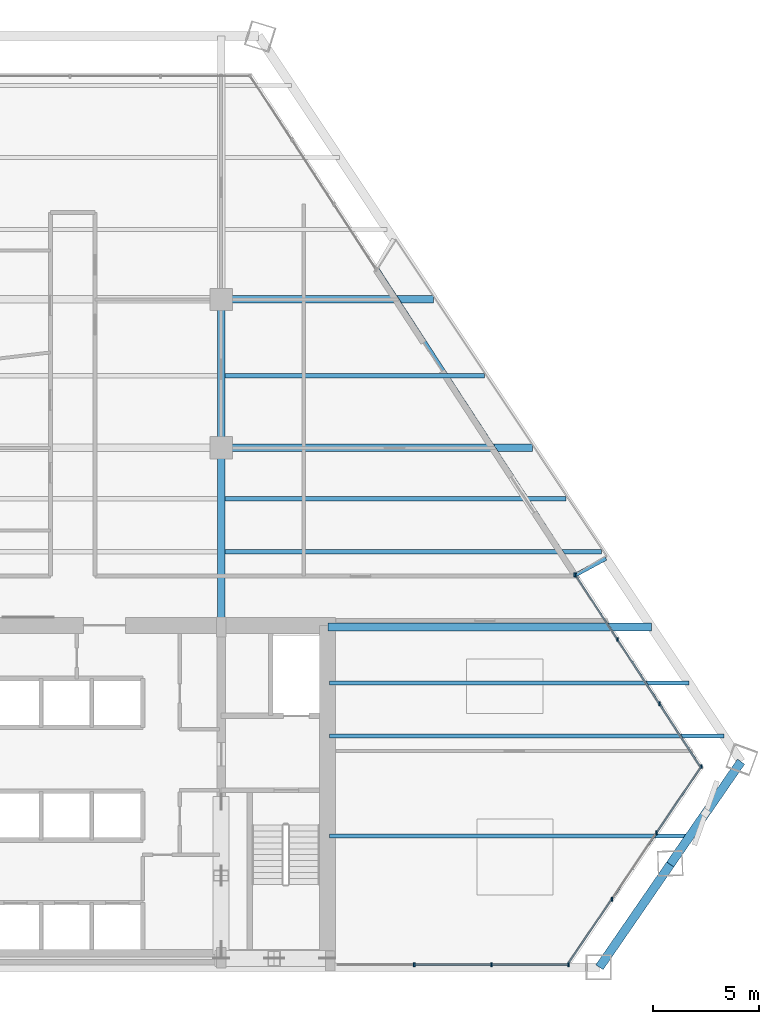
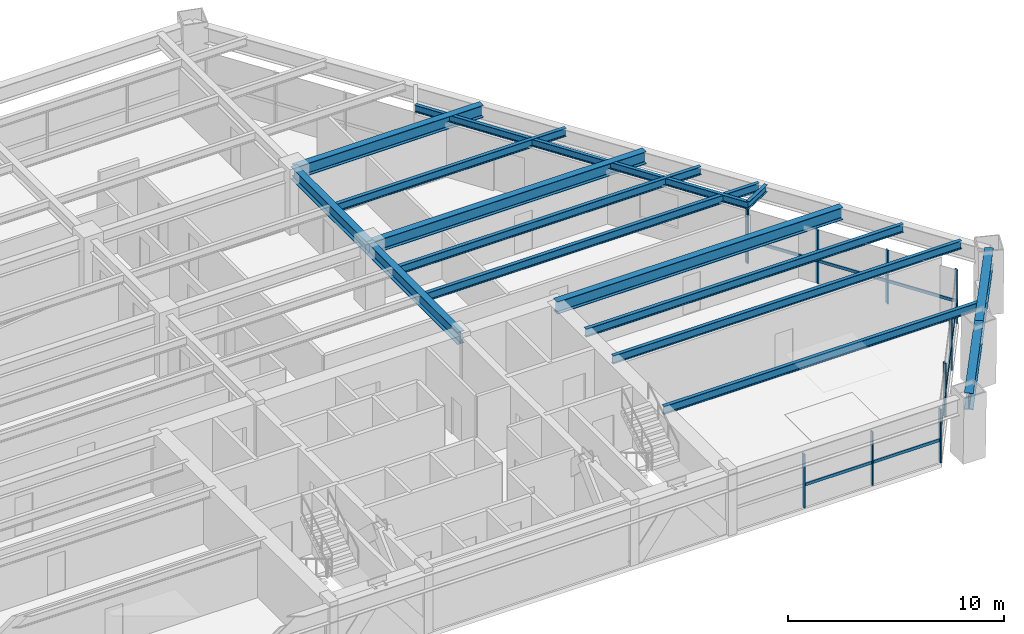
# One storey, part 6 of 14: 18 members, 15 beams, 3 elements without a shape of their own.
"""IFC4 building model written with IfcOpenShell, lengths in metres."""

from ifc_helpers import new_model, si_unit, direction, frame, origin, origin_2d, place, context, subcontext, project, spatial, rectangle, i_section, extrude, source, transform, mapped, material, material_profile, profile_set, type_object, type_shapes, element, aggregate, save


model = new_model("IFC4")

# Units and contexts
model_context = context("Model", 3, precision=1e-05, world=origin(), true_north=direction((0.0, 1.0)))
body_context = subcontext(model_context, "Body", "Model", "MODEL_VIEW")
ifc_project = project(units=[si_unit("LENGTHUNIT", "METRE"), si_unit("AREAUNIT", "SQUARE_METRE"), si_unit("VOLUMEUNIT", "CUBIC_METRE"), si_unit("PLANEANGLEUNIT", "RADIAN"), si_unit("MASSUNIT", "GRAM", prefix="KILO")], contexts=[model_context])

# Site, building, storey
site_placement = place(None, origin())
site = spatial("IfcSite", under=ifc_project, at=site_placement, CompositionType="ELEMENT")
building_placement = place(site_placement, origin())
building = spatial("IfcBuilding", under=site, at=building_placement, Name="Varnakhor Terracotta Tower", CompositionType="ELEMENT")
storey_placement = place(building_placement, frame((0.0, 0.0, 84.0)))
storey = spatial("IfcBuildingStorey", under=building, at=storey_placement, Name="L20", CompositionType="ELEMENT", Elevation=84.0)

# Beams
ifc_material_1 = material(Name="Steel S355", Category="steel")
ifc_material_profile_1 = material_profile(ifc_material_1, i_section(OverallWidth=0.35498046875, OverallDepth=0.695068359375, WebThickness=0.014892578125, FlangeThickness=0.02490234375, FilletRadius=0.01806640625, at=origin_2d()), Name="W27X146")
ifc_profile_set_1 = profile_set([ifc_material_profile_1], Name="Steel S355")
beam_type_1 = type_object("IfcBeamType", Name="BM-W27X146", PredefinedType="BEAM", material=ifc_profile_set_1)
shared_shape_1 = source(origin(), body_context, "Body", "SweptSolid", [
    extrude(i_section(OverallWidth=0.35498046875, OverallDepth=0.695068359375, WebThickness=0.014892578125, FlangeThickness=0.02490234375, FilletRadius=0.01806640625, at=origin_2d()), origin(), (0.0, 0.0, 1.0), 8.449951171875),
])
type_shapes(beam_type_1, [shared_shape_1])
beam_1_placement = place(storey_placement, frame((5.5, 16.050048828125, 3.1025390625), z_axis=(0.0, 1.0, 0.0), x_axis=(-1.0, 0.0, 0.0)))
element("IfcBeam", 1, at=beam_1_placement, inside=storey, type_object=beam_type_1, Name="L20 Primary Girder NS1-E", PredefinedType="BEAM", context=body_context, shape_type="MappedRepresentation", body=[
    mapped(shared_shape_1, transform((0.0, 0.0, 0.0), scale=1.0)),
])
shared_shape_2 = source(origin(), body_context, "Body", "SweptSolid", [
    extrude(i_section(OverallWidth=0.35498046875, OverallDepth=0.695068359375, WebThickness=0.014892578125, FlangeThickness=0.02490234375, FilletRadius=0.01806640625, at=origin_2d()), origin(), (0.0, 0.0, 1.0), 7.0),
])
beam_2_placement = place(storey_placement, frame((5.5, 24.5, 3.1025390625), z_axis=(0.0, 1.0, 0.0), x_axis=(-1.0, 0.0, 0.0)))
element("IfcBeam", 2, at=beam_2_placement, inside=storey, type_object=beam_type_1, Name="L20 Primary Girder NS2-E", PredefinedType="BEAM", context=body_context, shape_type="MappedRepresentation", body=[
    mapped(shared_shape_2, transform((0.0, 0.0, 0.0), scale=1.0)),
])
ifc_material_profile_2 = material_profile(ifc_material_1, i_section(OverallWidth=0.41796875, OverallDepth=0.927001953125, WebThickness=0.01904296875, FlangeThickness=0.031982421875, FilletRadius=0.01806640625, at=origin_2d()), Name="W36X231")
ifc_profile_set_2 = profile_set([ifc_material_profile_2], Name="Steel S355")
beam_type_2 = type_object("IfcBeamType", Name="BM-W36X231", PredefinedType="BEAM", material=ifc_profile_set_2)
shared_shape_3 = source(origin(), body_context, "Body", "SweptSolid", [
    extrude(i_section(OverallWidth=0.41796875, OverallDepth=0.927001953125, WebThickness=0.01904296875, FlangeThickness=0.031982421875, FilletRadius=0.01806640625, at=origin_2d()), origin(), (0.0, 0.0, 1.0), 5.88818359375),
])
for number, where, z_axis, x_axis, name in (
    (3, (23.34521484375, 0.0, 2.986572265625), (0.567181505376, 0.823592824131, 0.0), (-0.823592824131, 0.567181505376, 0.0), "L20 Perimeter Spandrel 2"),
    (4, (26.684814453125, 4.849365234375, 2.986572265625), (0.567209629403, 0.823573455323, 0.0), (-0.823573455323, 0.567209629403, 0.0), "L20 Perimeter Spandrel 3"),
):
    element("IfcBeam", number, at=place(storey_placement, frame(where, z_axis=z_axis, x_axis=x_axis)), inside=storey, type_object=beam_type_2, Name=name, PredefinedType="BEAM", context=body_context, shape_type="MappedRepresentation", body=[
        mapped(shared_shape_3, transform((0.0, 0.0, 0.0), scale=1.0)),
    ])
ifc_material_profile_3 = material_profile(ifc_material_1, i_section(OverallWidth=0.179931640625, OverallDepth=0.39990234375, WebThickness=0.008544921875, FlangeThickness=0.013427734375, FilletRadius=0.01806640625, at=origin_2d()), Name="IPE400")
ifc_profile_set_3 = profile_set([ifc_material_profile_3], Name="Steel S355")
beam_type_3 = type_object("IfcBeamType", Name="JST-IPE400", PredefinedType="JOIST", material=ifc_profile_set_3)
shared_shape_4 = source(origin(), body_context, "Body", "SweptSolid", [
    extrude(i_section(OverallWidth=0.179931640625, OverallDepth=0.39990234375, WebThickness=0.008544921875, FlangeThickness=0.013427734375, FilletRadius=0.01806640625, at=origin_2d()), origin(), (0.0, 0.0, 1.0), 17.24853515625),
])
beam_3_placement = place(storey_placement, frame((22.238037109375, 18.514404296875, 3.25), z_axis=(-0.545037105912, 0.838411923328, 0.0), x_axis=(-0.838411923328, -0.545037105912, 0.0)))
element("IfcBeam", 5, at=beam_3_placement, inside=storey, type_object=beam_type_3, Name="L20 Loggia Edge Beam 1", PredefinedType="JOIST", context=body_context, shape_type="MappedRepresentation", body=[
    mapped(shared_shape_4, transform((0.0, 0.0, 0.0), scale=1.0)),
])
shared_shape_5 = source(origin(), body_context, "Body", "SweptSolid", [
    extrude(i_section(OverallWidth=0.35498046875, OverallDepth=0.695068359375, WebThickness=0.014892578125, FlangeThickness=0.02490234375, FilletRadius=0.01806640625, at=origin_2d()), origin(), (0.0, 0.0, 1.0), 15.251220703125),
])
beam_4_placement = place(storey_placement, frame((10.550048828125, 16.050048828125, 3.1025390625), z_axis=(1.0, 0.0, 0.0), x_axis=(0.0, 1.0, 0.0)))
element("IfcBeam", 6, at=beam_4_placement, inside=storey, type_object=beam_type_1, Name="L20 Wing Girder E", PredefinedType="BEAM", context=body_context, shape_type="MappedRepresentation", body=[
    mapped(shared_shape_5, transform((0.0, 0.0, 0.0), scale=1.0)),
])
shared_shape_6 = source(origin(), body_context, "Body", "SweptSolid", [
    extrude(i_section(OverallWidth=0.35498046875, OverallDepth=0.695068359375, WebThickness=0.014892578125, FlangeThickness=0.02490234375, FilletRadius=0.01806640625, at=origin_2d()), origin(), (0.0, 0.0, 1.0), 14.682373046875),
])
beam_5_placement = place(storey_placement, frame((5.5, 24.5, 3.1025390625), z_axis=(1.0, 0.0, 0.0), x_axis=(0.0, 1.0, 0.0)))
element("IfcBeam", 7, at=beam_5_placement, inside=storey, type_object=beam_type_1, Name="L20 Primary Girder EW2-3", PredefinedType="BEAM", context=body_context, shape_type="MappedRepresentation", body=[
    mapped(shared_shape_6, transform((0.0, 0.0, 0.0), scale=1.0)),
])
shared_shape_7 = source(origin(), body_context, "Body", "SweptSolid", [
    extrude(i_section(OverallWidth=0.35498046875, OverallDepth=0.695068359375, WebThickness=0.014892578125, FlangeThickness=0.02490234375, FilletRadius=0.01806640625, at=origin_2d()), origin(), (0.0, 0.0, 1.0), 10.027587890625),
])
beam_6_placement = place(storey_placement, frame((5.5, 31.5, 3.1025390625), z_axis=(1.0, 0.0, 0.0), x_axis=(0.0, 1.0, 0.0)))
element("IfcBeam", 8, at=beam_6_placement, inside=storey, type_object=beam_type_1, Name="L20 Primary Girder EW3-3", PredefinedType="BEAM", context=body_context, shape_type="MappedRepresentation", body=[
    mapped(shared_shape_7, transform((0.0, 0.0, 0.0), scale=1.0)),
])
ifc_material_profile_4 = material_profile(ifc_material_1, i_section(OverallWidth=0.19189453125, OverallDepth=0.462890625, WebThickness=0.010498046875, FlangeThickness=0.017578125, FilletRadius=0.01806640625, at=origin_2d()), Name="W18X60")
ifc_profile_set_4 = profile_set([ifc_material_profile_4], Name="Steel S355")
beam_type_4 = type_object("IfcBeamType", Name="JST-W18X60", PredefinedType="JOIST", material=ifc_profile_set_4)
shared_shape_8 = source(origin(), body_context, "Body", "SweptSolid", [
    extrude(i_section(OverallWidth=0.19189453125, OverallDepth=0.462890625, WebThickness=0.010498046875, FlangeThickness=0.017578125, FilletRadius=0.01806640625, at=origin_2d()), origin(), (0.0, 0.0, 1.0), 17.014892578125),
])
beam_7_placement = place(storey_placement, frame((10.60009765625, 6.199951171875, 3.218505859375), z_axis=(1.0, 0.0, 0.0), x_axis=(0.0, 1.0, 0.0)))
element("IfcBeam", 9, at=beam_7_placement, inside=storey, type_object=beam_type_4, Name="L20 Floor Joist E1", PredefinedType="JOIST", context=body_context, shape_type="MappedRepresentation", body=[
    mapped(shared_shape_8, transform((0.0, 0.0, 0.0), scale=1.0)),
])
shared_shape_9 = source(origin(), body_context, "Body", "SweptSolid", [
    extrude(i_section(OverallWidth=0.19189453125, OverallDepth=0.462890625, WebThickness=0.010498046875, FlangeThickness=0.017578125, FilletRadius=0.01806640625, at=origin_2d()), origin(), (0.0, 0.0, 1.0), 18.625732421875),
])
beam_8_placement = place(storey_placement, frame((10.60009765625, 10.89990234375, 3.218505859375), z_axis=(1.0, 0.0, 0.0), x_axis=(0.0, 1.0, 0.0)))
element("IfcBeam", 10, at=beam_8_placement, inside=storey, type_object=beam_type_4, Name="L20 Floor Joist E2", PredefinedType="JOIST", context=body_context, shape_type="MappedRepresentation", body=[
    mapped(shared_shape_9, transform((0.0, 0.0, 0.0), scale=1.0)),
])
shared_shape_10 = source(origin(), body_context, "Body", "SweptSolid", [
    extrude(i_section(OverallWidth=0.19189453125, OverallDepth=0.462890625, WebThickness=0.010498046875, FlangeThickness=0.017578125, FilletRadius=0.01806640625, at=origin_2d()), origin(), (0.0, 0.0, 1.0), 16.96337890625),
])
beam_9_placement = place(storey_placement, frame((10.60009765625, 13.39990234375, 3.218505859375), z_axis=(1.0, 0.0, 0.0), x_axis=(0.0, 1.0, 0.0)))
element("IfcBeam", 11, at=beam_9_placement, inside=storey, type_object=beam_type_4, Name="L20 Floor Joist E3", PredefinedType="JOIST", context=body_context, shape_type="MappedRepresentation", body=[
    mapped(shared_shape_10, transform((0.0, 0.0, 0.0), scale=1.0)),
])
shared_shape_11 = source(origin(), body_context, "Body", "SweptSolid", [
    extrude(i_section(OverallWidth=0.19189453125, OverallDepth=0.462890625, WebThickness=0.010498046875, FlangeThickness=0.017578125, FilletRadius=0.01806640625, at=origin_2d()), origin(), (0.0, 0.0, 1.0), 17.76708984375),
])
beam_10_placement = place(storey_placement, frame((5.673583984375, 19.60009765625, 3.218505859375), z_axis=(1.0, 0.0, 0.0), x_axis=(0.0, 1.0, 0.0)))
element("IfcBeam", 12, at=beam_10_placement, inside=storey, type_object=beam_type_4, Name="L20 Composite Floor Joist 4-3", PredefinedType="JOIST", context=body_context, shape_type="MappedRepresentation", body=[
    mapped(shared_shape_11, transform((0.0, 0.0, 0.0), scale=1.0)),
])
shared_shape_12 = source(origin(), body_context, "Body", "SweptSolid", [
    extrude(i_section(OverallWidth=0.19189453125, OverallDepth=0.462890625, WebThickness=0.010498046875, FlangeThickness=0.017578125, FilletRadius=0.01806640625, at=origin_2d()), origin(), (0.0, 0.0, 1.0), 16.104736328125),
])
beam_11_placement = place(storey_placement, frame((5.673583984375, 22.10009765625, 3.218505859375), z_axis=(1.0, 0.0, 0.0), x_axis=(0.0, 1.0, 0.0)))
element("IfcBeam", 13, at=beam_11_placement, inside=storey, type_object=beam_type_4, Name="L20 Composite Floor Joist 5-3", PredefinedType="JOIST", context=body_context, shape_type="MappedRepresentation", body=[
    mapped(shared_shape_12, transform((0.0, 0.0, 0.0), scale=1.0)),
])
shared_shape_13 = source(origin(), body_context, "Body", "SweptSolid", [
    extrude(i_section(OverallWidth=0.19189453125, OverallDepth=0.462890625, WebThickness=0.010498046875, FlangeThickness=0.017578125, FilletRadius=0.01806640625, at=origin_2d()), origin(), (0.0, 0.0, 1.0), 12.247802734375),
])
beam_12_placement = place(storey_placement, frame((5.673583984375, 27.89990234375, 3.218505859375), z_axis=(1.0, 0.0, 0.0), x_axis=(0.0, 1.0, 0.0)))
element("IfcBeam", 14, at=beam_12_placement, inside=storey, type_object=beam_type_4, Name="L20 Composite Floor Joist 6-3", PredefinedType="JOIST", context=body_context, shape_type="MappedRepresentation", body=[
    mapped(shared_shape_13, transform((0.0, 0.0, 0.0), scale=1.0)),
])

# Curtain wall, members
ifc_material_2 = material(Name="Anodised Aluminium Curtain Wall System", Category="aluminium")
curtain_wall_type = type_object("IfcCurtainWallType", Name="CW-SYS-LOW-OFFICE", PredefinedType="NOTDEFINED", material=ifc_material_2)
curtain_wall_1_placement = place(storey_placement, origin())
curtain_wall_1 = element("IfcCurtainWall", 15, at=curtain_wall_1_placement, inside=storey, type_object=curtain_wall_type, Name="L20 E Facet Curtain Wall 2", PredefinedType="NOTDEFINED")
ifc_material_3 = material(Name="Anodised Aluminium 6063-T6", Category="aluminium")
ifc_material_profile_5 = material_profile(ifc_material_3, rectangle(XDim=0.074951171875, YDim=0.18505859375, at=origin_2d()), Name="ALU MULLION 75x185")
ifc_profile_set_5 = profile_set([ifc_material_profile_5], Name="Anodised Aluminium 6063-T6")
member_type_1 = type_object("IfcMemberType", Name="CWM-02", PredefinedType="MULLION", material=ifc_profile_set_5)
shared_shape_14 = source(origin(), body_context, "Body", "SweptSolid", [
    extrude(rectangle(XDim=0.074951171875, YDim=0.18505859375, at=origin_2d()), origin(), (0.0, 0.0, 1.0), 3.030029296875),
])
type_shapes(member_type_1, [shared_shape_14])
member_1_placement = place(storey_placement, frame((22.212890625, 18.5, 0.0), z_axis=(0.0, 0.0, 1.0), x_axis=(1.0, 0.0, 0.0)))
member_1 = element("IfcMember", 16, at=member_1_placement, type_object=member_type_1, Name="L20 E Facet Curtain Wall 2 Mullion 1", PredefinedType="MULLION", context=body_context, shape_type="MappedRepresentation", body=[
    mapped(shared_shape_14, transform((0.0, 0.0, 0.0), scale=1.0)),
])
member_2_placement = place(storey_placement, frame((24.1923828125, 15.462158203125, 0.0), z_axis=(0.0, 0.0, 1.0), x_axis=(1.0, 0.0, 0.0)))
member_2 = element("IfcMember", 17, at=member_2_placement, type_object=member_type_1, Name="L20 E Facet Curtain Wall 2 Mullion 2", PredefinedType="MULLION", context=body_context, shape_type="MappedRepresentation", body=[
    mapped(shared_shape_14, transform((0.0, 0.0, 0.0), scale=1.0)),
])
member_3_placement = place(storey_placement, frame((26.171630859375, 12.42431640625, 0.0), z_axis=(0.0, 0.0, 1.0), x_axis=(1.0, 0.0, 0.0)))
member_3 = element("IfcMember", 18, at=member_3_placement, type_object=member_type_1, Name="L20 E Facet Curtain Wall 2 Mullion 3", PredefinedType="MULLION", context=body_context, shape_type="MappedRepresentation", body=[
    mapped(shared_shape_14, transform((0.0, 0.0, 0.0), scale=1.0)),
])
member_4_placement = place(storey_placement, frame((22.1796875, 18.514404296875, 0.0), z_axis=(0.0, 0.0, 1.0), x_axis=(1.0, 0.0, 0.0)))
member_4 = element("IfcMember", 19, at=member_4_placement, type_object=member_type_1, Name="L20 E Loggia Jamb Closure Mullion 2", PredefinedType="MULLION", context=body_context, shape_type="MappedRepresentation", body=[
    mapped(shared_shape_14, transform((0.0, 0.0, 0.0), scale=1.0)),
])

curtain_wall_2_placement = place(storey_placement, origin())
curtain_wall_2 = element("IfcCurtainWall", 20, at=curtain_wall_2_placement, inside=storey, type_object=curtain_wall_type, Name="L20 Facet Curtain Wall 4", PredefinedType="NOTDEFINED")
member_5_placement = place(storey_placement, frame((28.15185546875, 9.46923828125, 0.0), z_axis=(0.0, 0.0, 1.0), x_axis=(1.0, 0.0, 0.0)))
member_5 = element("IfcMember", 21, at=member_5_placement, type_object=member_type_1, Name="L20 Facet Curtain Wall 4 Mullion 1", PredefinedType="MULLION", context=body_context, shape_type="MappedRepresentation", body=[
    mapped(shared_shape_14, transform((0.0, 0.0, 0.0), scale=1.0)),
])
member_6_placement = place(storey_placement, frame((26.03955078125, 6.343505859375, 0.0), z_axis=(0.0, 0.0, 1.0), x_axis=(1.0, 0.0, 0.0)))
member_6 = element("IfcMember", 22, at=member_6_placement, type_object=member_type_1, Name="L20 Facet Curtain Wall 4 Mullion 2", PredefinedType="MULLION", context=body_context, shape_type="MappedRepresentation", body=[
    mapped(shared_shape_14, transform((0.0, 0.0, 0.0), scale=1.0)),
])
member_7_placement = place(storey_placement, frame((23.92724609375, 3.2177734375, 0.0), z_axis=(0.0, 0.0, 1.0), x_axis=(1.0, 0.0, 0.0)))
member_7 = element("IfcMember", 23, at=member_7_placement, type_object=member_type_1, Name="L20 Facet Curtain Wall 4 Mullion 3", PredefinedType="MULLION", context=body_context, shape_type="MappedRepresentation", body=[
    mapped(shared_shape_14, transform((0.0, 0.0, 0.0), scale=1.0)),
])

curtain_wall_3_placement = place(storey_placement, origin())
curtain_wall_3 = element("IfcCurtainWall", 24, at=curtain_wall_3_placement, inside=storey, type_object=curtain_wall_type, Name="L20 South Wing Curtain Wall SSE", PredefinedType="NOTDEFINED")
member_8_placement = place(storey_placement, frame((21.8876953125, 0.1201171875, 0.0), z_axis=(0.0, 0.0, 1.0), x_axis=(1.0, 0.0, 0.0)))
member_8 = element("IfcMember", 25, at=member_8_placement, type_object=member_type_1, Name="L20 South Wing Curtain Wall SSE Mullion 1", PredefinedType="MULLION", context=body_context, shape_type="MappedRepresentation", body=[
    mapped(shared_shape_14, transform((0.0, 0.0, 0.0), scale=1.0)),
])
member_9_placement = place(storey_placement, frame((18.24853515625, 0.1201171875, 0.0), z_axis=(0.0, 0.0, 1.0), x_axis=(1.0, 0.0, 0.0)))
member_9 = element("IfcMember", 26, at=member_9_placement, type_object=member_type_1, Name="L20 South Wing Curtain Wall SSE Mullion 2", PredefinedType="MULLION", context=body_context, shape_type="MappedRepresentation", body=[
    mapped(shared_shape_14, transform((0.0, 0.0, 0.0), scale=1.0)),
])
member_10_placement = place(storey_placement, frame((14.609130859375, 0.1201171875, 0.0), z_axis=(0.0, 0.0, 1.0), x_axis=(1.0, 0.0, 0.0)))
member_10 = element("IfcMember", 27, at=member_10_placement, type_object=member_type_1, Name="L20 South Wing Curtain Wall SSE Mullion 3", PredefinedType="MULLION", context=body_context, shape_type="MappedRepresentation", body=[
    mapped(shared_shape_14, transform((0.0, 0.0, 0.0), scale=1.0)),
])

# Member
ifc_material_profile_6 = material_profile(ifc_material_3, rectangle(XDim=0.074951171875, YDim=0.1650390625, at=origin_2d()), Name="ALU TRANSOM 75x165")
ifc_profile_set_6 = profile_set([ifc_material_profile_6], Name="Anodised Aluminium 6063-T6")
member_type_2 = type_object("IfcMemberType", Name="CWT-02", PredefinedType="USERDEFINED", material=ifc_profile_set_6)
shared_shape_15 = source(origin(), body_context, "Body", "SweptSolid", [
    extrude(rectangle(XDim=0.074951171875, YDim=0.1650390625, at=origin_2d()), origin(), (0.0, 0.0, 1.0), 3.625732421875),
])
member_11_placement = place(storey_placement, frame((24.1923828125, 15.462158203125, 1.272705078125), z_axis=(0.545889788202, -0.837856992056, 0.0), x_axis=(0.837856992056, 0.545889788202, 0.0)))
member_11 = element("IfcMember", 28, at=member_11_placement, type_object=member_type_2, Name="L20 E Facet Curtain Wall 2 Transom 2", ObjectType="TRANSOM", PredefinedType="USERDEFINED", context=body_context, shape_type="MappedRepresentation", body=[
    mapped(shared_shape_15, transform((0.0, 0.0, 0.0), scale=1.0)),
])

member_12_placement = place(storey_placement, frame((26.171630859375, 12.42431640625, 1.272705078125), z_axis=(0.545967855055, -0.837806123901, 0.0), x_axis=(0.837806123901, 0.545967855055, 0.0)))
member_12 = element("IfcMember", 29, at=member_12_placement, type_object=member_type_2, Name="L20 E Facet Curtain Wall 2 Transom 3", ObjectType="TRANSOM", PredefinedType="USERDEFINED", context=body_context, shape_type="MappedRepresentation", body=[
    mapped(shared_shape_15, transform((0.0, 0.0, 0.0), scale=1.0)),
])

shared_shape_16 = source(origin(), body_context, "Body", "SweptSolid", [
    extrude(rectangle(XDim=0.074951171875, YDim=0.1650390625, at=origin_2d()), origin(), (0.0, 0.0, 1.0), 3.6259765625),
])
member_13_placement = place(storey_placement, frame((22.212890625, 18.5, 1.272705078125), z_axis=(0.545937055486, -0.837826194057, 0.0), x_axis=(0.837826194057, 0.545937055486, 0.0)))
member_13 = element("IfcMember", 30, at=member_13_placement, type_object=member_type_2, Name="L20 E Facet Curtain Wall 2 Transom 1", ObjectType="TRANSOM", PredefinedType="USERDEFINED", context=body_context, shape_type="MappedRepresentation", body=[
    mapped(shared_shape_16, transform((0.0, 0.0, 0.0), scale=1.0)),
])

aggregate(curtain_wall_1, [member_1, member_13, member_2, member_11, member_3, member_12, member_4])

shared_shape_17 = source(origin(), body_context, "Body", "SweptSolid", [
    extrude(rectangle(XDim=0.074951171875, YDim=0.1650390625, at=origin_2d()), origin(), (0.0, 0.0, 1.0), 3.7724609375),
])
member_14_placement = place(storey_placement, frame((28.15185546875, 9.46923828125, 1.272705078125), z_axis=(-0.559916250753, -0.828549209246, 0.0), x_axis=(0.828549209246, -0.559916250753, 0.0)))
member_14 = element("IfcMember", 31, at=member_14_placement, type_object=member_type_2, Name="L20 Facet Curtain Wall 4 Transom 1", ObjectType="TRANSOM", PredefinedType="USERDEFINED", context=body_context, shape_type="MappedRepresentation", body=[
    mapped(shared_shape_17, transform((0.0, 0.0, 0.0), scale=1.0)),
])

member_15_placement = place(storey_placement, frame((26.03955078125, 6.343505859375, 1.272705078125), z_axis=(-0.559916250753, -0.828549209246, 0.0), x_axis=(0.828549209246, -0.559916250753, 0.0)))
member_15 = element("IfcMember", 32, at=member_15_placement, type_object=member_type_2, Name="L20 Facet Curtain Wall 4 Transom 2", ObjectType="TRANSOM", PredefinedType="USERDEFINED", context=body_context, shape_type="MappedRepresentation", body=[
    mapped(shared_shape_17, transform((0.0, 0.0, 0.0), scale=1.0)),
])

member_16_placement = place(storey_placement, frame((23.92724609375, 3.2177734375, 1.272705078125), z_axis=(-0.559871821729, -0.828579231718, 0.0), x_axis=(0.828579231718, -0.559871821729, 0.0)))
member_16 = element("IfcMember", 33, at=member_16_placement, type_object=member_type_2, Name="L20 Facet Curtain Wall 4 Transom 3", ObjectType="TRANSOM", PredefinedType="USERDEFINED", context=body_context, shape_type="MappedRepresentation", body=[
    mapped(shared_shape_17, transform((0.0, 0.0, 0.0), scale=1.0)),
])

aggregate(curtain_wall_2, [member_5, member_14, member_6, member_15, member_7, member_16])

shared_shape_18 = source(origin(), body_context, "Body", "SweptSolid", [
    extrude(rectangle(XDim=0.074951171875, YDim=0.1650390625, at=origin_2d()), origin(), (0.0, 0.0, 1.0), 3.63916015625),
])
member_17_placement = place(storey_placement, frame((21.8876953125, 0.1201171875, 1.272705078125), z_axis=(-1.0, 0.0, 0.0), x_axis=(0.0, -1.0, 0.0)))
member_17 = element("IfcMember", 34, at=member_17_placement, type_object=member_type_2, Name="L20 South Wing Curtain Wall SSE Transom 1", ObjectType="TRANSOM", PredefinedType="USERDEFINED", context=body_context, shape_type="MappedRepresentation", body=[
    mapped(shared_shape_18, transform((0.0, 0.0, 0.0), scale=1.0)),
])

shared_shape_19 = source(origin(), body_context, "Body", "SweptSolid", [
    extrude(rectangle(XDim=0.074951171875, YDim=0.1650390625, at=origin_2d()), origin(), (0.0, 0.0, 1.0), 3.639404296875),
])
member_18_placement = place(storey_placement, frame((18.24853515625, 0.1201171875, 1.272705078125), z_axis=(-1.0, 0.0, 0.0), x_axis=(0.0, -1.0, 0.0)))
member_18 = element("IfcMember", 35, at=member_18_placement, type_object=member_type_2, Name="L20 South Wing Curtain Wall SSE Transom 2", ObjectType="TRANSOM", PredefinedType="USERDEFINED", context=body_context, shape_type="MappedRepresentation", body=[
    mapped(shared_shape_19, transform((0.0, 0.0, 0.0), scale=1.0)),
])

aggregate(curtain_wall_3, [member_8, member_17, member_9, member_18, member_10])

# Beam
shared_shape_20 = source(origin(), body_context, "Body", "SweptSolid", [
    extrude(i_section(OverallWidth=0.179931640625, OverallDepth=0.39990234375, WebThickness=0.008544921875, FlangeThickness=0.013427734375, FilletRadius=0.01806640625, at=origin_2d()), origin(), (0.0, 0.0, 1.0), 1.60888671875),
])
beam_13_placement = place(storey_placement, frame((22.238037109375, 18.514404296875, 3.25), z_axis=(0.878185382792, 0.478320429681, 0.0), x_axis=(-0.478320429681, 0.878185382792, 0.0)))
element("IfcBeam", 36, at=beam_13_placement, inside=storey, type_object=beam_type_3, Name="L21 E Loggia Tie Beam 2", PredefinedType="JOIST", context=body_context, shape_type="MappedRepresentation", body=[
    mapped(shared_shape_20, transform((0.0, 0.0, 0.0), scale=1.0)),
])

save(model, "model.ifc")
